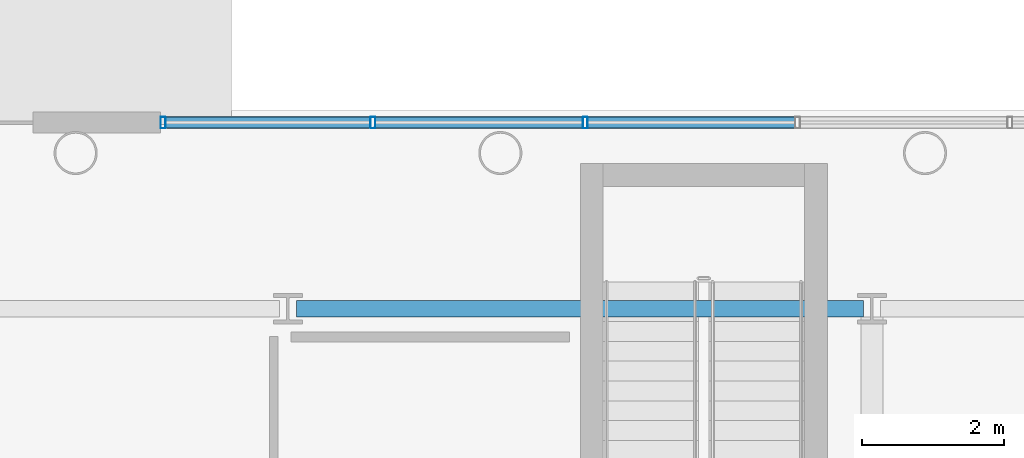
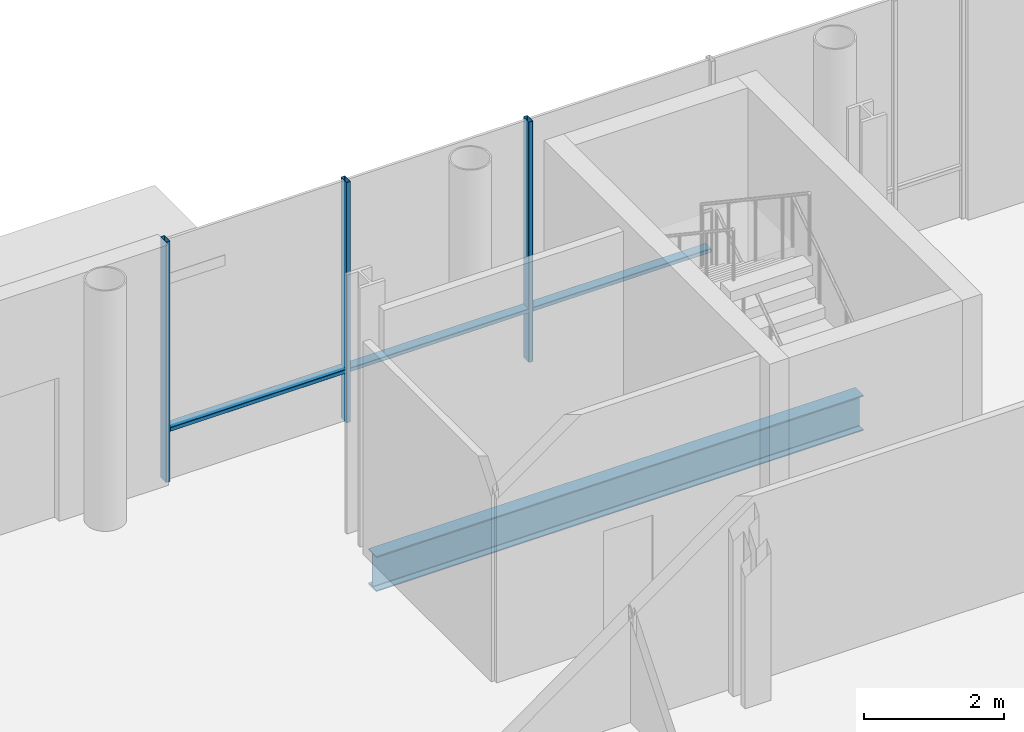
# One storey, part 8 of 28: 6 members, 1 beam, 1 element without a shape of its own.
"""IFC4 building model written with IfcOpenShell, lengths in metres."""

from ifc_helpers import new_model, si_unit, direction, frame, origin, origin_2d, place, context, subcontext, project, spatial, hollow_rectangle, i_section, extrude, material, layer, layer_set, material_profile, profile_set, type_object, element, aggregate, save


model = new_model("IFC4")

# Units and contexts
model_context = context("Model", 3, precision=1e-05, world=origin(), true_north=direction((0.0, 1.0)))
body_context = subcontext(model_context, "Body", "Model", "MODEL_VIEW")
ifc_project = project(units=[si_unit("LENGTHUNIT", "METRE"), si_unit("AREAUNIT", "SQUARE_METRE"), si_unit("VOLUMEUNIT", "CUBIC_METRE"), si_unit("PLANEANGLEUNIT", "RADIAN"), si_unit("MASSUNIT", "GRAM", prefix="KILO")], contexts=[model_context])

# Site, building, storey
site_placement = place(None, origin())
site = spatial("IfcSite", under=ifc_project, at=site_placement, CompositionType="ELEMENT")
building_placement = place(site_placement, origin())
building = spatial("IfcBuilding", under=site, at=building_placement, Name="Brevholm Reach", CompositionType="ELEMENT")
storey_placement = place(building_placement, origin())
storey = spatial("IfcBuildingStorey", under=building, at=storey_placement, Name="L00", CompositionType="ELEMENT", Elevation=0.0)

# Beam
ifc_material_1 = material(Name="Structural Steel S355J2", Category="steel")
ifc_material_profile_1 = material_profile(ifc_material_1, i_section(OverallWidth=0.22900390625, OverallDepth=0.6123046875, WebThickness=0.011962890625, FlangeThickness=0.01953125, FilletRadius=0.0126953125, at=origin_2d()), Name="UKB 610x229x125")
ifc_profile_set_1 = profile_set([ifc_material_profile_1], Name="Structural Steel S355J2")
beam_type = type_object("IfcBeamType", Name="BM-SP610", PredefinedType="SPANDREL", material=ifc_profile_set_1)
beam_placement = place(storey_placement, frame((30.1201171875, 37.199951171875, -0.64599609375), z_axis=(1.0, 0.0, 0.0), x_axis=(0.0, 1.0, 0.0)))
element("IfcBeam", 1, at=beam_placement, inside=storey, type_object=beam_type, Name="L00 SP-01 Framing Beam", PredefinedType="SPANDREL", context=body_context, shape_type="SweptSolid", body=[
    extrude(i_section(OverallWidth=0.22900390625, OverallDepth=0.6123046875, WebThickness=0.011962890625, FlangeThickness=0.01953125, FilletRadius=0.0126953125, at=origin_2d()), origin(), (0.0, 0.0, 1.0), 8.009765625),
])

# Curtain wall, members
ifc_material_2 = material(Name="Dark Anodised Aluminium 6063-T6 and Solar-Control Glass", Category="aluminium")
ifc_layer = layer(ifc_material_2, 0.1650390625)
ifc_layer_set = layer_set([ifc_layer], Name="Dark Anodised Aluminium 6063-T6 and Solar-Control Glass")
curtain_wall_type = type_object("IfcCurtainWallType", Name="CW-03", PredefinedType="NOTDEFINED", material=ifc_layer_set)
curtain_wall_placement = place(storey_placement, origin())
curtain_wall = element("IfcCurtainWall", 2, at=curtain_wall_placement, inside=storey, type_object=curtain_wall_type, Name="L00 Curtain Wall CW-03", PredefinedType="NOTDEFINED")
ifc_material_3 = material(Name="Dark Anodised Aluminium 6063-T6", Category="aluminium")
ifc_material_profile_2 = material_profile(ifc_material_3, hollow_rectangle(XDim=0.070068359375, YDim=0.1650390625, WallThickness=0.0048828125, InnerFilletRadius=0.0048828125, OuterFilletRadius=0.010009765625, at=origin_2d()), Name="RHS 165x70x5")
ifc_profile_set_2 = profile_set([ifc_material_profile_2], Name="Dark Anodised Aluminium 6063-T6")
member_type_1 = type_object("IfcMemberType", Name="CWM-165", PredefinedType="MULLION", material=ifc_profile_set_2)
member_1_placement = place(storey_placement, frame((28.235107421875, 39.830078125, 0.0), z_axis=(0.0, 0.0, 1.0), x_axis=(1.0, 0.0, 0.0)))
member_1 = element("IfcMember", 3, at=member_1_placement, type_object=member_type_1, Name="CM-165 Mullion 1", PredefinedType="MULLION", context=body_context, shape_type="SweptSolid", body=[
    extrude(hollow_rectangle(XDim=0.070068359375, YDim=0.1650390625, WallThickness=0.0048828125, InnerFilletRadius=0.0048828125, OuterFilletRadius=0.010009765625, at=origin_2d()), origin(), (0.0, 0.0, 1.0), 4.179931640625),
])
member_2_placement = place(storey_placement, frame((31.199951171875, 39.830078125, 0.0), z_axis=(0.0, 0.0, 1.0), x_axis=(1.0, 0.0, 0.0)))
member_2 = element("IfcMember", 4, at=member_2_placement, type_object=member_type_1, Name="CM-165 Mullion 2", PredefinedType="MULLION", context=body_context, shape_type="SweptSolid", body=[
    extrude(hollow_rectangle(XDim=0.070068359375, YDim=0.1650390625, WallThickness=0.0048828125, InnerFilletRadius=0.0048828125, OuterFilletRadius=0.010009765625, at=origin_2d()), origin(), (0.0, 0.0, 1.0), 4.179931640625),
])
member_3_placement = place(storey_placement, frame((34.199951171875, 39.830078125, 0.0), z_axis=(0.0, 0.0, 1.0), x_axis=(1.0, 0.0, 0.0)))
member_3 = element("IfcMember", 5, at=member_3_placement, type_object=member_type_1, Name="CM-165 Mullion 3", PredefinedType="MULLION", context=body_context, shape_type="SweptSolid", body=[
    extrude(hollow_rectangle(XDim=0.070068359375, YDim=0.1650390625, WallThickness=0.0048828125, InnerFilletRadius=0.0048828125, OuterFilletRadius=0.010009765625, at=origin_2d()), origin(), (0.0, 0.0, 1.0), 4.179931640625),
])
ifc_material_4 = material(Name="Dark Anodised Aluminium 6063-T6", Category="aluminium")
ifc_material_profile_3 = material_profile(ifc_material_4, hollow_rectangle(XDim=0.070068359375, YDim=0.1650390625, WallThickness=0.0048828125, InnerFilletRadius=0.0048828125, OuterFilletRadius=0.010009765625, at=origin_2d()), Name="RHS 165x70x5")
ifc_profile_set_3 = profile_set([ifc_material_profile_3], Name="Dark Anodised Aluminium 6063-T6")
member_type_2 = type_object("IfcMemberType", Name="CWT-165", PredefinedType="NOTDEFINED", material=ifc_profile_set_3)
member_4_placement = place(storey_placement, frame((28.27001953125, 39.830078125, 0.89990234375), z_axis=(1.0, 0.0, 0.0), x_axis=(0.0, 0.0, 1.0)))
member_4 = element("IfcMember", 6, at=member_4_placement, type_object=member_type_2, Name="CT-165 Transom 1.1", ObjectType="TRANSOM", PredefinedType="USERDEFINED", context=body_context, shape_type="SweptSolid", body=[
    extrude(hollow_rectangle(XDim=0.070068359375, YDim=0.1650390625, WallThickness=0.0048828125, InnerFilletRadius=0.0048828125, OuterFilletRadius=0.010009765625, at=origin_2d()), origin(), (0.0, 0.0, 1.0), 2.89501953125),
])
member_5_placement = place(storey_placement, frame((31.235107421875, 39.830078125, 0.89990234375), z_axis=(1.0, 0.0, 0.0), x_axis=(0.0, 0.0, 1.0)))
member_5 = element("IfcMember", 7, at=member_5_placement, type_object=member_type_2, Name="CT-165 Transom 2.1", ObjectType="TRANSOM", PredefinedType="USERDEFINED", context=body_context, shape_type="SweptSolid", body=[
    extrude(hollow_rectangle(XDim=0.070068359375, YDim=0.1650390625, WallThickness=0.0048828125, InnerFilletRadius=0.0048828125, OuterFilletRadius=0.010009765625, at=origin_2d()), origin(), (0.0, 0.0, 1.0), 2.929931640625),
])
member_6_placement = place(storey_placement, frame((34.235107421875, 39.830078125, 0.89990234375), z_axis=(1.0, 0.0, 0.0), x_axis=(0.0, 0.0, 1.0)))
member_6 = element("IfcMember", 8, at=member_6_placement, type_object=member_type_2, Name="CT-165 Transom 3.1", ObjectType="TRANSOM", PredefinedType="USERDEFINED", context=body_context, shape_type="SweptSolid", body=[
    extrude(hollow_rectangle(XDim=0.070068359375, YDim=0.1650390625, WallThickness=0.0048828125, InnerFilletRadius=0.0048828125, OuterFilletRadius=0.010009765625, at=origin_2d()), origin(), (0.0, 0.0, 1.0), 2.929931640625),
])
aggregate(curtain_wall, [member_1, member_2, member_3, member_4, member_5, member_6])

save(model, "model.ifc")
